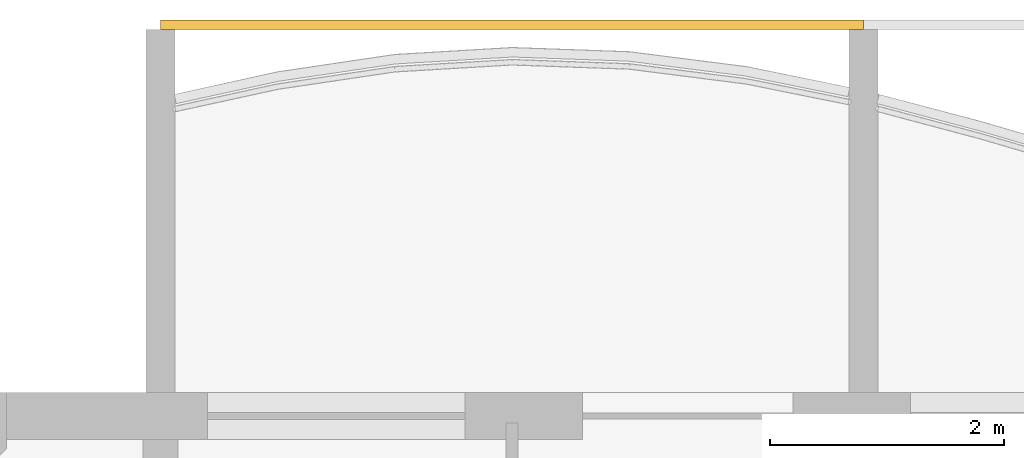
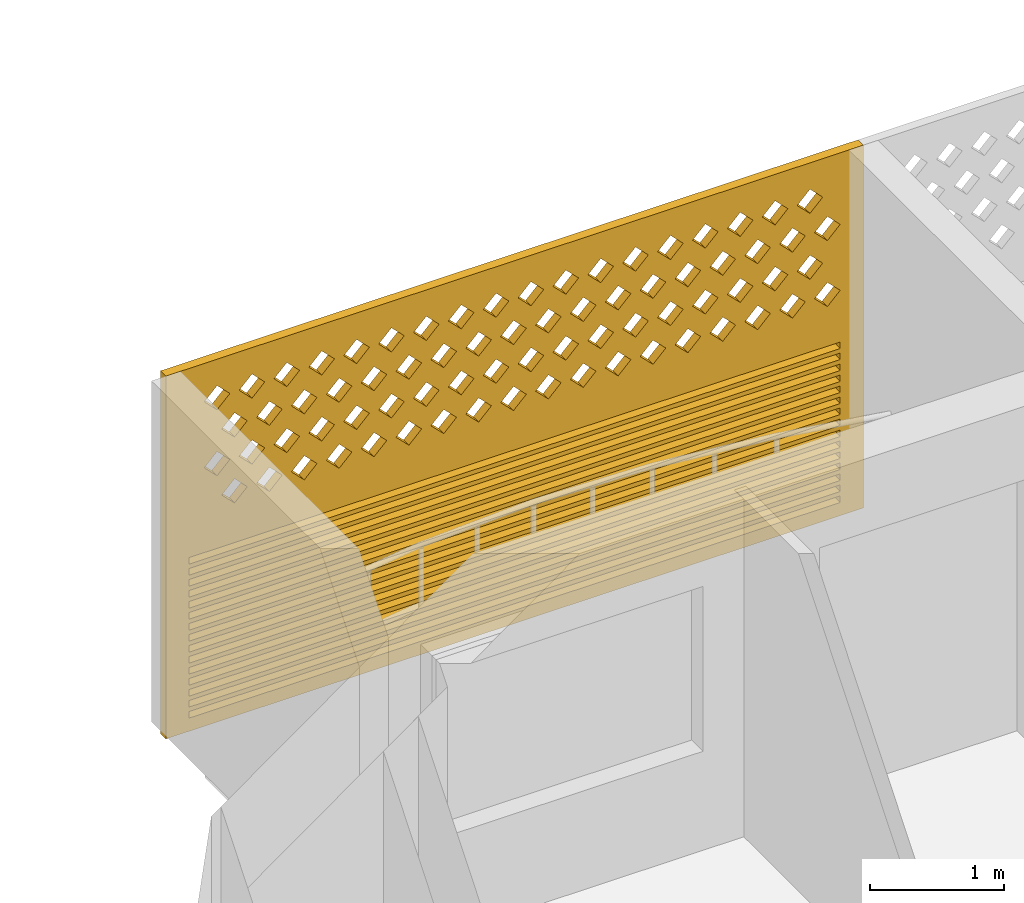
# One storey, part 17 of 31: 1 covering.
"""IFC4 building model written with IfcOpenShell, lengths in metres."""

from ifc_helpers import new_model, si_unit, direction, frame, origin, place, context, subcontext, project, spatial, polyline, outline, extrude, source, transform, mapped, material, material_profile, profile_set, type_object, element, save


model = new_model("IFC4")

# Units and contexts
model_context = context("Model", 3, precision=1e-05, world=origin(), true_north=direction((0.0, 1.0)))
body_context = subcontext(model_context, "Body", "Model", "MODEL_VIEW")
ifc_project = project(units=[si_unit("LENGTHUNIT", "METRE"), si_unit("AREAUNIT", "SQUARE_METRE"), si_unit("VOLUMEUNIT", "CUBIC_METRE"), si_unit("PLANEANGLEUNIT", "RADIAN"), si_unit("MASSUNIT", "GRAM", prefix="KILO")], contexts=[model_context])

# Site, building, storey
site_placement = place(None, origin())
site = spatial("IfcSite", under=ifc_project, at=site_placement, CompositionType="ELEMENT")
building_placement = place(site_placement, origin())
building = spatial("IfcBuilding", under=site, at=building_placement, Name="Poui Terraces", CompositionType="ELEMENT")
storey_placement = place(building_placement, frame((0.0, 0.0, 142.199951171875)))
storey = spatial("IfcBuildingStorey", under=building, at=storey_placement, Name="L39", CompositionType="ELEMENT", Elevation=142.199951171875)

# Covering
ifc_material = material(Name="Terracotta screen", Category="masonry")
ifc_material_profile = material_profile(ifc_material, outline(polyline([(-3.0, -1.64990234375), (3.0, -1.64990234375), (3.0, 1.64990234375), (-3.0, 1.64990234375), (-3.0, -1.64990234375)]), holes=[polyline([(-2.800048828125, 0.39990234375), (-2.68994140625, 0.2900390625), (-2.580078125, 0.39990234375), (-2.68994140625, 0.510009765625), (-2.800048828125, 0.39990234375)]), polyline([(-2.5, 0.39990234375), (-2.389892578125, 0.2900390625), (-2.280029296875, 0.39990234375), (-2.389892578125, 0.510009765625), (-2.5, 0.39990234375)]), polyline([(-2.199951171875, 0.39990234375), (-2.090087890625, 0.2900390625), (-1.97998046875, 0.39990234375), (-2.090087890625, 0.510009765625), (-2.199951171875, 0.39990234375)]), polyline([(-1.89990234375, 0.39990234375), (-1.7900390625, 0.2900390625), (-1.679931640625, 0.39990234375), (-1.7900390625, 0.510009765625), (-1.89990234375, 0.39990234375)]), polyline([(-1.60009765625, 0.39990234375), (-1.489990234375, 0.2900390625), (-1.3798828125, 0.39990234375), (-1.489990234375, 0.510009765625), (-1.60009765625, 0.39990234375)]), polyline([(-1.300048828125, 0.39990234375), (-1.18994140625, 0.2900390625), (-1.080078125, 0.39990234375), (-1.18994140625, 0.510009765625), (-1.300048828125, 0.39990234375)]), polyline([(-1.0, 0.39990234375), (-0.889892578125, 0.2900390625), (-0.780029296875, 0.39990234375), (-0.889892578125, 0.510009765625), (-1.0, 0.39990234375)]), polyline([(-0.699951171875, 0.39990234375), (-0.590087890625, 0.2900390625), (-0.47998046875, 0.39990234375), (-0.590087890625, 0.510009765625), (-0.699951171875, 0.39990234375)]), polyline([(-0.39990234375, 0.39990234375), (-0.2900390625, 0.2900390625), (-0.179931640625, 0.39990234375), (-0.2900390625, 0.510009765625), (-0.39990234375, 0.39990234375)]), polyline([(-0.10009765625, 0.39990234375), (0.010009765625, 0.2900390625), (0.1201171875, 0.39990234375), (0.010009765625, 0.510009765625), (-0.10009765625, 0.39990234375)]), polyline([(0.199951171875, 0.39990234375), (0.31005859375, 0.2900390625), (0.419921875, 0.39990234375), (0.31005859375, 0.510009765625), (0.199951171875, 0.39990234375)]), polyline([(0.5, 0.39990234375), (0.610107421875, 0.2900390625), (0.719970703125, 0.39990234375), (0.610107421875, 0.510009765625), (0.5, 0.39990234375)]), polyline([(0.800048828125, 0.39990234375), (0.909912109375, 0.2900390625), (1.02001953125, 0.39990234375), (0.909912109375, 0.510009765625), (0.800048828125, 0.39990234375)]), polyline([(1.10009765625, 0.39990234375), (1.2099609375, 0.2900390625), (1.320068359375, 0.39990234375), (1.2099609375, 0.510009765625), (1.10009765625, 0.39990234375)]), polyline([(1.39990234375, 0.39990234375), (1.510009765625, 0.2900390625), (1.6201171875, 0.39990234375), (1.510009765625, 0.510009765625), (1.39990234375, 0.39990234375)]), polyline([(1.699951171875, 0.39990234375), (1.81005859375, 0.2900390625), (1.919921875, 0.39990234375), (1.81005859375, 0.510009765625), (1.699951171875, 0.39990234375)]), polyline([(2.0, 0.39990234375), (2.110107421875, 0.2900390625), (2.219970703125, 0.39990234375), (2.110107421875, 0.510009765625), (2.0, 0.39990234375)]), polyline([(2.300048828125, 0.39990234375), (2.409912109375, 0.2900390625), (2.52001953125, 0.39990234375), (2.409912109375, 0.510009765625), (2.300048828125, 0.39990234375)]), polyline([(-2.64990234375, 0.699951171875), (-2.5400390625, 0.590087890625), (-2.429931640625, 0.699951171875), (-2.5400390625, 0.81005859375), (-2.64990234375, 0.699951171875)]), polyline([(-2.35009765625, 0.699951171875), (-2.239990234375, 0.590087890625), (-2.1298828125, 0.699951171875), (-2.239990234375, 0.81005859375), (-2.35009765625, 0.699951171875)]), polyline([(-2.050048828125, 0.699951171875), (-1.93994140625, 0.590087890625), (-1.830078125, 0.699951171875), (-1.93994140625, 0.81005859375), (-2.050048828125, 0.699951171875)]), polyline([(-1.75, 0.699951171875), (-1.639892578125, 0.590087890625), (-1.530029296875, 0.699951171875), (-1.639892578125, 0.81005859375), (-1.75, 0.699951171875)]), polyline([(-1.449951171875, 0.699951171875), (-1.340087890625, 0.590087890625), (-1.22998046875, 0.699951171875), (-1.340087890625, 0.81005859375), (-1.449951171875, 0.699951171875)]), polyline([(-1.14990234375, 0.699951171875), (-1.0400390625, 0.590087890625), (-0.929931640625, 0.699951171875), (-1.0400390625, 0.81005859375), (-1.14990234375, 0.699951171875)]), polyline([(-0.85009765625, 0.699951171875), (-0.739990234375, 0.590087890625), (-0.6298828125, 0.699951171875), (-0.739990234375, 0.81005859375), (-0.85009765625, 0.699951171875)]), polyline([(-0.550048828125, 0.699951171875), (-0.43994140625, 0.590087890625), (-0.330078125, 0.699951171875), (-0.43994140625, 0.81005859375), (-0.550048828125, 0.699951171875)]), polyline([(-0.25, 0.699951171875), (-0.139892578125, 0.590087890625), (-0.030029296875, 0.699951171875), (-0.139892578125, 0.81005859375), (-0.25, 0.699951171875)]), polyline([(0.050048828125, 0.699951171875), (0.159912109375, 0.590087890625), (0.27001953125, 0.699951171875), (0.159912109375, 0.81005859375), (0.050048828125, 0.699951171875)]), polyline([(0.35009765625, 0.699951171875), (0.4599609375, 0.590087890625), (0.570068359375, 0.699951171875), (0.4599609375, 0.81005859375), (0.35009765625, 0.699951171875)]), polyline([(0.64990234375, 0.699951171875), (0.760009765625, 0.590087890625), (0.8701171875, 0.699951171875), (0.760009765625, 0.81005859375), (0.64990234375, 0.699951171875)]), polyline([(0.949951171875, 0.699951171875), (1.06005859375, 0.590087890625), (1.169921875, 0.699951171875), (1.06005859375, 0.81005859375), (0.949951171875, 0.699951171875)]), polyline([(1.25, 0.699951171875), (1.360107421875, 0.590087890625), (1.469970703125, 0.699951171875), (1.360107421875, 0.81005859375), (1.25, 0.699951171875)]), polyline([(1.550048828125, 0.699951171875), (1.659912109375, 0.590087890625), (1.77001953125, 0.699951171875), (1.659912109375, 0.81005859375), (1.550048828125, 0.699951171875)]), polyline([(1.85009765625, 0.699951171875), (1.9599609375, 0.590087890625), (2.070068359375, 0.699951171875), (1.9599609375, 0.81005859375), (1.85009765625, 0.699951171875)]), polyline([(2.14990234375, 0.699951171875), (2.260009765625, 0.590087890625), (2.3701171875, 0.699951171875), (2.260009765625, 0.81005859375), (2.14990234375, 0.699951171875)]), polyline([(2.449951171875, 0.699951171875), (2.56005859375, 0.590087890625), (2.669921875, 0.699951171875), (2.56005859375, 0.81005859375), (2.449951171875, 0.699951171875)]), polyline([(-2.800048828125, 1.0), (-2.68994140625, 0.889892578125), (-2.580078125, 1.0), (-2.68994140625, 1.110107421875), (-2.800048828125, 1.0)]), polyline([(-2.5, 1.0), (-2.389892578125, 0.889892578125), (-2.280029296875, 1.0), (-2.389892578125, 1.110107421875), (-2.5, 1.0)]), polyline([(-2.199951171875, 1.0), (-2.090087890625, 0.889892578125), (-1.97998046875, 1.0), (-2.090087890625, 1.110107421875), (-2.199951171875, 1.0)]), polyline([(-1.89990234375, 1.0), (-1.7900390625, 0.889892578125), (-1.679931640625, 1.0), (-1.7900390625, 1.110107421875), (-1.89990234375, 1.0)]), polyline([(-1.60009765625, 1.0), (-1.489990234375, 0.889892578125), (-1.3798828125, 1.0), (-1.489990234375, 1.110107421875), (-1.60009765625, 1.0)]), polyline([(-1.300048828125, 1.0), (-1.18994140625, 0.889892578125), (-1.080078125, 1.0), (-1.18994140625, 1.110107421875), (-1.300048828125, 1.0)]), polyline([(-1.0, 1.0), (-0.889892578125, 0.889892578125), (-0.780029296875, 1.0), (-0.889892578125, 1.110107421875), (-1.0, 1.0)]), polyline([(-0.699951171875, 1.0), (-0.590087890625, 0.889892578125), (-0.47998046875, 1.0), (-0.590087890625, 1.110107421875), (-0.699951171875, 1.0)]), polyline([(-0.39990234375, 1.0), (-0.2900390625, 0.889892578125), (-0.179931640625, 1.0), (-0.2900390625, 1.110107421875), (-0.39990234375, 1.0)]), polyline([(-0.10009765625, 1.0), (0.010009765625, 0.889892578125), (0.1201171875, 1.0), (0.010009765625, 1.110107421875), (-0.10009765625, 1.0)]), polyline([(0.199951171875, 1.0), (0.31005859375, 0.889892578125), (0.419921875, 1.0), (0.31005859375, 1.110107421875), (0.199951171875, 1.0)]), polyline([(0.5, 1.0), (0.610107421875, 0.889892578125), (0.719970703125, 1.0), (0.610107421875, 1.110107421875), (0.5, 1.0)]), polyline([(0.800048828125, 1.0), (0.909912109375, 0.889892578125), (1.02001953125, 1.0), (0.909912109375, 1.110107421875), (0.800048828125, 1.0)]), polyline([(1.10009765625, 1.0), (1.2099609375, 0.889892578125), (1.320068359375, 1.0), (1.2099609375, 1.110107421875), (1.10009765625, 1.0)]), polyline([(1.39990234375, 1.0), (1.510009765625, 0.889892578125), (1.6201171875, 1.0), (1.510009765625, 1.110107421875), (1.39990234375, 1.0)]), polyline([(1.699951171875, 1.0), (1.81005859375, 0.889892578125), (1.919921875, 1.0), (1.81005859375, 1.110107421875), (1.699951171875, 1.0)]), polyline([(2.0, 1.0), (2.110107421875, 0.889892578125), (2.219970703125, 1.0), (2.110107421875, 1.110107421875), (2.0, 1.0)]), polyline([(2.300048828125, 1.0), (2.409912109375, 0.889892578125), (2.52001953125, 1.0), (2.409912109375, 1.110107421875), (2.300048828125, 1.0)]), polyline([(-2.64990234375, 1.300048828125), (-2.5400390625, 1.18994140625), (-2.429931640625, 1.300048828125), (-2.5400390625, 1.409912109375), (-2.64990234375, 1.300048828125)]), polyline([(-2.35009765625, 1.300048828125), (-2.239990234375, 1.18994140625), (-2.1298828125, 1.300048828125), (-2.239990234375, 1.409912109375), (-2.35009765625, 1.300048828125)]), polyline([(-2.050048828125, 1.300048828125), (-1.93994140625, 1.18994140625), (-1.830078125, 1.300048828125), (-1.93994140625, 1.409912109375), (-2.050048828125, 1.300048828125)]), polyline([(-1.75, 1.300048828125), (-1.639892578125, 1.18994140625), (-1.530029296875, 1.300048828125), (-1.639892578125, 1.409912109375), (-1.75, 1.300048828125)]), polyline([(-1.449951171875, 1.300048828125), (-1.340087890625, 1.18994140625), (-1.22998046875, 1.300048828125), (-1.340087890625, 1.409912109375), (-1.449951171875, 1.300048828125)]), polyline([(-1.14990234375, 1.300048828125), (-1.0400390625, 1.18994140625), (-0.929931640625, 1.300048828125), (-1.0400390625, 1.409912109375), (-1.14990234375, 1.300048828125)]), polyline([(-0.85009765625, 1.300048828125), (-0.739990234375, 1.18994140625), (-0.6298828125, 1.300048828125), (-0.739990234375, 1.409912109375), (-0.85009765625, 1.300048828125)]), polyline([(-0.550048828125, 1.300048828125), (-0.43994140625, 1.18994140625), (-0.330078125, 1.300048828125), (-0.43994140625, 1.409912109375), (-0.550048828125, 1.300048828125)]), polyline([(-0.25, 1.300048828125), (-0.139892578125, 1.18994140625), (-0.030029296875, 1.300048828125), (-0.139892578125, 1.409912109375), (-0.25, 1.300048828125)]), polyline([(0.050048828125, 1.300048828125), (0.159912109375, 1.18994140625), (0.27001953125, 1.300048828125), (0.159912109375, 1.409912109375), (0.050048828125, 1.300048828125)]), polyline([(0.35009765625, 1.300048828125), (0.4599609375, 1.18994140625), (0.570068359375, 1.300048828125), (0.4599609375, 1.409912109375), (0.35009765625, 1.300048828125)]), polyline([(0.64990234375, 1.300048828125), (0.760009765625, 1.18994140625), (0.8701171875, 1.300048828125), (0.760009765625, 1.409912109375), (0.64990234375, 1.300048828125)]), polyline([(0.949951171875, 1.300048828125), (1.06005859375, 1.18994140625), (1.169921875, 1.300048828125), (1.06005859375, 1.409912109375), (0.949951171875, 1.300048828125)]), polyline([(1.25, 1.300048828125), (1.360107421875, 1.18994140625), (1.469970703125, 1.300048828125), (1.360107421875, 1.409912109375), (1.25, 1.300048828125)]), polyline([(1.550048828125, 1.300048828125), (1.659912109375, 1.18994140625), (1.77001953125, 1.300048828125), (1.659912109375, 1.409912109375), (1.550048828125, 1.300048828125)]), polyline([(1.85009765625, 1.300048828125), (1.9599609375, 1.18994140625), (2.070068359375, 1.300048828125), (1.9599609375, 1.409912109375), (1.85009765625, 1.300048828125)]), polyline([(2.14990234375, 1.300048828125), (2.260009765625, 1.18994140625), (2.3701171875, 1.300048828125), (2.260009765625, 1.409912109375), (2.14990234375, 1.300048828125)]), polyline([(2.449951171875, 1.300048828125), (2.56005859375, 1.18994140625), (2.669921875, 1.300048828125), (2.56005859375, 1.409912109375), (2.449951171875, 1.300048828125)]), polyline([(-2.800048828125, -1.530029296875), (2.800048828125, -1.530029296875), (2.800048828125, -1.469970703125), (-2.800048828125, -1.469970703125), (-2.800048828125, -1.530029296875)]), polyline([(-2.800048828125, -1.429931640625), (2.800048828125, -1.429931640625), (2.800048828125, -1.3701171875), (-2.800048828125, -1.3701171875), (-2.800048828125, -1.429931640625)]), polyline([(-2.800048828125, -1.330078125), (2.800048828125, -1.330078125), (2.800048828125, -1.27001953125), (-2.800048828125, -1.27001953125), (-2.800048828125, -1.330078125)]), polyline([(-2.800048828125, -1.22998046875), (2.800048828125, -1.22998046875), (2.800048828125, -1.169921875), (-2.800048828125, -1.169921875), (-2.800048828125, -1.22998046875)]), polyline([(-2.800048828125, -1.1298828125), (2.800048828125, -1.1298828125), (2.800048828125, -1.070068359375), (-2.800048828125, -1.070068359375), (-2.800048828125, -1.1298828125)]), polyline([(-2.800048828125, -1.030029296875), (2.800048828125, -1.030029296875), (2.800048828125, -0.969970703125), (-2.800048828125, -0.969970703125), (-2.800048828125, -1.030029296875)]), polyline([(-2.800048828125, -0.929931640625), (2.800048828125, -0.929931640625), (2.800048828125, -0.8701171875), (-2.800048828125, -0.8701171875), (-2.800048828125, -0.929931640625)]), polyline([(-2.800048828125, -0.830078125), (2.800048828125, -0.830078125), (2.800048828125, -0.77001953125), (-2.800048828125, -0.77001953125), (-2.800048828125, -0.830078125)]), polyline([(-2.800048828125, -0.72998046875), (2.800048828125, -0.72998046875), (2.800048828125, -0.669921875), (-2.800048828125, -0.669921875), (-2.800048828125, -0.72998046875)]), polyline([(-2.800048828125, -0.6298828125), (2.800048828125, -0.6298828125), (2.800048828125, -0.570068359375), (-2.800048828125, -0.570068359375), (-2.800048828125, -0.6298828125)]), polyline([(-2.800048828125, -0.530029296875), (2.800048828125, -0.530029296875), (2.800048828125, -0.469970703125), (-2.800048828125, -0.469970703125), (-2.800048828125, -0.530029296875)]), polyline([(-2.800048828125, -0.429931640625), (2.800048828125, -0.429931640625), (2.800048828125, -0.3701171875), (-2.800048828125, -0.3701171875), (-2.800048828125, -0.429931640625)]), polyline([(-2.800048828125, -0.330078125), (2.800048828125, -0.330078125), (2.800048828125, -0.27001953125), (-2.800048828125, -0.27001953125), (-2.800048828125, -0.330078125)]), polyline([(-2.800048828125, -0.22998046875), (2.800048828125, -0.22998046875), (2.800048828125, -0.169921875), (-2.800048828125, -0.169921875), (-2.800048828125, -0.22998046875)]), polyline([(-2.800048828125, -0.1298828125), (2.800048828125, -0.1298828125), (2.800048828125, -0.070068359375), (-2.800048828125, -0.070068359375), (-2.800048828125, -0.1298828125)])]), Name="TERRACOTTA SCREEN AND JALOUSIE LOUVRE 6000X3300")
ifc_profile_set = profile_set([ifc_material_profile], Name="Terracotta screen")
covering_type = type_object("IfcCoveringType", Name="TERRACOTTA SCREEN AND JALOUSIE LOUVRE 6000X3300", PredefinedType="CLADDING", material=ifc_profile_set)
shared_shape = source(origin(), body_context, "Body", "SweptSolid", [
    extrude(outline(polyline([(-3.0, -1.64990234375), (3.0, -1.64990234375), (3.0, 1.64990234375), (-3.0, 1.64990234375), (-3.0, -1.64990234375)]), holes=[polyline([(-2.800048828125, 0.39990234375), (-2.68994140625, 0.2900390625), (-2.580078125, 0.39990234375), (-2.68994140625, 0.510009765625), (-2.800048828125, 0.39990234375)]), polyline([(-2.5, 0.39990234375), (-2.389892578125, 0.2900390625), (-2.280029296875, 0.39990234375), (-2.389892578125, 0.510009765625), (-2.5, 0.39990234375)]), polyline([(-2.199951171875, 0.39990234375), (-2.090087890625, 0.2900390625), (-1.97998046875, 0.39990234375), (-2.090087890625, 0.510009765625), (-2.199951171875, 0.39990234375)]), polyline([(-1.89990234375, 0.39990234375), (-1.7900390625, 0.2900390625), (-1.679931640625, 0.39990234375), (-1.7900390625, 0.510009765625), (-1.89990234375, 0.39990234375)]), polyline([(-1.60009765625, 0.39990234375), (-1.489990234375, 0.2900390625), (-1.3798828125, 0.39990234375), (-1.489990234375, 0.510009765625), (-1.60009765625, 0.39990234375)]), polyline([(-1.300048828125, 0.39990234375), (-1.18994140625, 0.2900390625), (-1.080078125, 0.39990234375), (-1.18994140625, 0.510009765625), (-1.300048828125, 0.39990234375)]), polyline([(-1.0, 0.39990234375), (-0.889892578125, 0.2900390625), (-0.780029296875, 0.39990234375), (-0.889892578125, 0.510009765625), (-1.0, 0.39990234375)]), polyline([(-0.699951171875, 0.39990234375), (-0.590087890625, 0.2900390625), (-0.47998046875, 0.39990234375), (-0.590087890625, 0.510009765625), (-0.699951171875, 0.39990234375)]), polyline([(-0.39990234375, 0.39990234375), (-0.2900390625, 0.2900390625), (-0.179931640625, 0.39990234375), (-0.2900390625, 0.510009765625), (-0.39990234375, 0.39990234375)]), polyline([(-0.10009765625, 0.39990234375), (0.010009765625, 0.2900390625), (0.1201171875, 0.39990234375), (0.010009765625, 0.510009765625), (-0.10009765625, 0.39990234375)]), polyline([(0.199951171875, 0.39990234375), (0.31005859375, 0.2900390625), (0.419921875, 0.39990234375), (0.31005859375, 0.510009765625), (0.199951171875, 0.39990234375)]), polyline([(0.5, 0.39990234375), (0.610107421875, 0.2900390625), (0.719970703125, 0.39990234375), (0.610107421875, 0.510009765625), (0.5, 0.39990234375)]), polyline([(0.800048828125, 0.39990234375), (0.909912109375, 0.2900390625), (1.02001953125, 0.39990234375), (0.909912109375, 0.510009765625), (0.800048828125, 0.39990234375)]), polyline([(1.10009765625, 0.39990234375), (1.2099609375, 0.2900390625), (1.320068359375, 0.39990234375), (1.2099609375, 0.510009765625), (1.10009765625, 0.39990234375)]), polyline([(1.39990234375, 0.39990234375), (1.510009765625, 0.2900390625), (1.6201171875, 0.39990234375), (1.510009765625, 0.510009765625), (1.39990234375, 0.39990234375)]), polyline([(1.699951171875, 0.39990234375), (1.81005859375, 0.2900390625), (1.919921875, 0.39990234375), (1.81005859375, 0.510009765625), (1.699951171875, 0.39990234375)]), polyline([(2.0, 0.39990234375), (2.110107421875, 0.2900390625), (2.219970703125, 0.39990234375), (2.110107421875, 0.510009765625), (2.0, 0.39990234375)]), polyline([(2.300048828125, 0.39990234375), (2.409912109375, 0.2900390625), (2.52001953125, 0.39990234375), (2.409912109375, 0.510009765625), (2.300048828125, 0.39990234375)]), polyline([(-2.64990234375, 0.699951171875), (-2.5400390625, 0.590087890625), (-2.429931640625, 0.699951171875), (-2.5400390625, 0.81005859375), (-2.64990234375, 0.699951171875)]), polyline([(-2.35009765625, 0.699951171875), (-2.239990234375, 0.590087890625), (-2.1298828125, 0.699951171875), (-2.239990234375, 0.81005859375), (-2.35009765625, 0.699951171875)]), polyline([(-2.050048828125, 0.699951171875), (-1.93994140625, 0.590087890625), (-1.830078125, 0.699951171875), (-1.93994140625, 0.81005859375), (-2.050048828125, 0.699951171875)]), polyline([(-1.75, 0.699951171875), (-1.639892578125, 0.590087890625), (-1.530029296875, 0.699951171875), (-1.639892578125, 0.81005859375), (-1.75, 0.699951171875)]), polyline([(-1.449951171875, 0.699951171875), (-1.340087890625, 0.590087890625), (-1.22998046875, 0.699951171875), (-1.340087890625, 0.81005859375), (-1.449951171875, 0.699951171875)]), polyline([(-1.14990234375, 0.699951171875), (-1.0400390625, 0.590087890625), (-0.929931640625, 0.699951171875), (-1.0400390625, 0.81005859375), (-1.14990234375, 0.699951171875)]), polyline([(-0.85009765625, 0.699951171875), (-0.739990234375, 0.590087890625), (-0.6298828125, 0.699951171875), (-0.739990234375, 0.81005859375), (-0.85009765625, 0.699951171875)]), polyline([(-0.550048828125, 0.699951171875), (-0.43994140625, 0.590087890625), (-0.330078125, 0.699951171875), (-0.43994140625, 0.81005859375), (-0.550048828125, 0.699951171875)]), polyline([(-0.25, 0.699951171875), (-0.139892578125, 0.590087890625), (-0.030029296875, 0.699951171875), (-0.139892578125, 0.81005859375), (-0.25, 0.699951171875)]), polyline([(0.050048828125, 0.699951171875), (0.159912109375, 0.590087890625), (0.27001953125, 0.699951171875), (0.159912109375, 0.81005859375), (0.050048828125, 0.699951171875)]), polyline([(0.35009765625, 0.699951171875), (0.4599609375, 0.590087890625), (0.570068359375, 0.699951171875), (0.4599609375, 0.81005859375), (0.35009765625, 0.699951171875)]), polyline([(0.64990234375, 0.699951171875), (0.760009765625, 0.590087890625), (0.8701171875, 0.699951171875), (0.760009765625, 0.81005859375), (0.64990234375, 0.699951171875)]), polyline([(0.949951171875, 0.699951171875), (1.06005859375, 0.590087890625), (1.169921875, 0.699951171875), (1.06005859375, 0.81005859375), (0.949951171875, 0.699951171875)]), polyline([(1.25, 0.699951171875), (1.360107421875, 0.590087890625), (1.469970703125, 0.699951171875), (1.360107421875, 0.81005859375), (1.25, 0.699951171875)]), polyline([(1.550048828125, 0.699951171875), (1.659912109375, 0.590087890625), (1.77001953125, 0.699951171875), (1.659912109375, 0.81005859375), (1.550048828125, 0.699951171875)]), polyline([(1.85009765625, 0.699951171875), (1.9599609375, 0.590087890625), (2.070068359375, 0.699951171875), (1.9599609375, 0.81005859375), (1.85009765625, 0.699951171875)]), polyline([(2.14990234375, 0.699951171875), (2.260009765625, 0.590087890625), (2.3701171875, 0.699951171875), (2.260009765625, 0.81005859375), (2.14990234375, 0.699951171875)]), polyline([(2.449951171875, 0.699951171875), (2.56005859375, 0.590087890625), (2.669921875, 0.699951171875), (2.56005859375, 0.81005859375), (2.449951171875, 0.699951171875)]), polyline([(-2.800048828125, 1.0), (-2.68994140625, 0.889892578125), (-2.580078125, 1.0), (-2.68994140625, 1.110107421875), (-2.800048828125, 1.0)]), polyline([(-2.5, 1.0), (-2.389892578125, 0.889892578125), (-2.280029296875, 1.0), (-2.389892578125, 1.110107421875), (-2.5, 1.0)]), polyline([(-2.199951171875, 1.0), (-2.090087890625, 0.889892578125), (-1.97998046875, 1.0), (-2.090087890625, 1.110107421875), (-2.199951171875, 1.0)]), polyline([(-1.89990234375, 1.0), (-1.7900390625, 0.889892578125), (-1.679931640625, 1.0), (-1.7900390625, 1.110107421875), (-1.89990234375, 1.0)]), polyline([(-1.60009765625, 1.0), (-1.489990234375, 0.889892578125), (-1.3798828125, 1.0), (-1.489990234375, 1.110107421875), (-1.60009765625, 1.0)]), polyline([(-1.300048828125, 1.0), (-1.18994140625, 0.889892578125), (-1.080078125, 1.0), (-1.18994140625, 1.110107421875), (-1.300048828125, 1.0)]), polyline([(-1.0, 1.0), (-0.889892578125, 0.889892578125), (-0.780029296875, 1.0), (-0.889892578125, 1.110107421875), (-1.0, 1.0)]), polyline([(-0.699951171875, 1.0), (-0.590087890625, 0.889892578125), (-0.47998046875, 1.0), (-0.590087890625, 1.110107421875), (-0.699951171875, 1.0)]), polyline([(-0.39990234375, 1.0), (-0.2900390625, 0.889892578125), (-0.179931640625, 1.0), (-0.2900390625, 1.110107421875), (-0.39990234375, 1.0)]), polyline([(-0.10009765625, 1.0), (0.010009765625, 0.889892578125), (0.1201171875, 1.0), (0.010009765625, 1.110107421875), (-0.10009765625, 1.0)]), polyline([(0.199951171875, 1.0), (0.31005859375, 0.889892578125), (0.419921875, 1.0), (0.31005859375, 1.110107421875), (0.199951171875, 1.0)]), polyline([(0.5, 1.0), (0.610107421875, 0.889892578125), (0.719970703125, 1.0), (0.610107421875, 1.110107421875), (0.5, 1.0)]), polyline([(0.800048828125, 1.0), (0.909912109375, 0.889892578125), (1.02001953125, 1.0), (0.909912109375, 1.110107421875), (0.800048828125, 1.0)]), polyline([(1.10009765625, 1.0), (1.2099609375, 0.889892578125), (1.320068359375, 1.0), (1.2099609375, 1.110107421875), (1.10009765625, 1.0)]), polyline([(1.39990234375, 1.0), (1.510009765625, 0.889892578125), (1.6201171875, 1.0), (1.510009765625, 1.110107421875), (1.39990234375, 1.0)]), polyline([(1.699951171875, 1.0), (1.81005859375, 0.889892578125), (1.919921875, 1.0), (1.81005859375, 1.110107421875), (1.699951171875, 1.0)]), polyline([(2.0, 1.0), (2.110107421875, 0.889892578125), (2.219970703125, 1.0), (2.110107421875, 1.110107421875), (2.0, 1.0)]), polyline([(2.300048828125, 1.0), (2.409912109375, 0.889892578125), (2.52001953125, 1.0), (2.409912109375, 1.110107421875), (2.300048828125, 1.0)]), polyline([(-2.64990234375, 1.300048828125), (-2.5400390625, 1.18994140625), (-2.429931640625, 1.300048828125), (-2.5400390625, 1.409912109375), (-2.64990234375, 1.300048828125)]), polyline([(-2.35009765625, 1.300048828125), (-2.239990234375, 1.18994140625), (-2.1298828125, 1.300048828125), (-2.239990234375, 1.409912109375), (-2.35009765625, 1.300048828125)]), polyline([(-2.050048828125, 1.300048828125), (-1.93994140625, 1.18994140625), (-1.830078125, 1.300048828125), (-1.93994140625, 1.409912109375), (-2.050048828125, 1.300048828125)]), polyline([(-1.75, 1.300048828125), (-1.639892578125, 1.18994140625), (-1.530029296875, 1.300048828125), (-1.639892578125, 1.409912109375), (-1.75, 1.300048828125)]), polyline([(-1.449951171875, 1.300048828125), (-1.340087890625, 1.18994140625), (-1.22998046875, 1.300048828125), (-1.340087890625, 1.409912109375), (-1.449951171875, 1.300048828125)]), polyline([(-1.14990234375, 1.300048828125), (-1.0400390625, 1.18994140625), (-0.929931640625, 1.300048828125), (-1.0400390625, 1.409912109375), (-1.14990234375, 1.300048828125)]), polyline([(-0.85009765625, 1.300048828125), (-0.739990234375, 1.18994140625), (-0.6298828125, 1.300048828125), (-0.739990234375, 1.409912109375), (-0.85009765625, 1.300048828125)]), polyline([(-0.550048828125, 1.300048828125), (-0.43994140625, 1.18994140625), (-0.330078125, 1.300048828125), (-0.43994140625, 1.409912109375), (-0.550048828125, 1.300048828125)]), polyline([(-0.25, 1.300048828125), (-0.139892578125, 1.18994140625), (-0.030029296875, 1.300048828125), (-0.139892578125, 1.409912109375), (-0.25, 1.300048828125)]), polyline([(0.050048828125, 1.300048828125), (0.159912109375, 1.18994140625), (0.27001953125, 1.300048828125), (0.159912109375, 1.409912109375), (0.050048828125, 1.300048828125)]), polyline([(0.35009765625, 1.300048828125), (0.4599609375, 1.18994140625), (0.570068359375, 1.300048828125), (0.4599609375, 1.409912109375), (0.35009765625, 1.300048828125)]), polyline([(0.64990234375, 1.300048828125), (0.760009765625, 1.18994140625), (0.8701171875, 1.300048828125), (0.760009765625, 1.409912109375), (0.64990234375, 1.300048828125)]), polyline([(0.949951171875, 1.300048828125), (1.06005859375, 1.18994140625), (1.169921875, 1.300048828125), (1.06005859375, 1.409912109375), (0.949951171875, 1.300048828125)]), polyline([(1.25, 1.300048828125), (1.360107421875, 1.18994140625), (1.469970703125, 1.300048828125), (1.360107421875, 1.409912109375), (1.25, 1.300048828125)]), polyline([(1.550048828125, 1.300048828125), (1.659912109375, 1.18994140625), (1.77001953125, 1.300048828125), (1.659912109375, 1.409912109375), (1.550048828125, 1.300048828125)]), polyline([(1.85009765625, 1.300048828125), (1.9599609375, 1.18994140625), (2.070068359375, 1.300048828125), (1.9599609375, 1.409912109375), (1.85009765625, 1.300048828125)]), polyline([(2.14990234375, 1.300048828125), (2.260009765625, 1.18994140625), (2.3701171875, 1.300048828125), (2.260009765625, 1.409912109375), (2.14990234375, 1.300048828125)]), polyline([(2.449951171875, 1.300048828125), (2.56005859375, 1.18994140625), (2.669921875, 1.300048828125), (2.56005859375, 1.409912109375), (2.449951171875, 1.300048828125)]), polyline([(-2.800048828125, -1.530029296875), (2.800048828125, -1.530029296875), (2.800048828125, -1.469970703125), (-2.800048828125, -1.469970703125), (-2.800048828125, -1.530029296875)]), polyline([(-2.800048828125, -1.429931640625), (2.800048828125, -1.429931640625), (2.800048828125, -1.3701171875), (-2.800048828125, -1.3701171875), (-2.800048828125, -1.429931640625)]), polyline([(-2.800048828125, -1.330078125), (2.800048828125, -1.330078125), (2.800048828125, -1.27001953125), (-2.800048828125, -1.27001953125), (-2.800048828125, -1.330078125)]), polyline([(-2.800048828125, -1.22998046875), (2.800048828125, -1.22998046875), (2.800048828125, -1.169921875), (-2.800048828125, -1.169921875), (-2.800048828125, -1.22998046875)]), polyline([(-2.800048828125, -1.1298828125), (2.800048828125, -1.1298828125), (2.800048828125, -1.070068359375), (-2.800048828125, -1.070068359375), (-2.800048828125, -1.1298828125)]), polyline([(-2.800048828125, -1.030029296875), (2.800048828125, -1.030029296875), (2.800048828125, -0.969970703125), (-2.800048828125, -0.969970703125), (-2.800048828125, -1.030029296875)]), polyline([(-2.800048828125, -0.929931640625), (2.800048828125, -0.929931640625), (2.800048828125, -0.8701171875), (-2.800048828125, -0.8701171875), (-2.800048828125, -0.929931640625)]), polyline([(-2.800048828125, -0.830078125), (2.800048828125, -0.830078125), (2.800048828125, -0.77001953125), (-2.800048828125, -0.77001953125), (-2.800048828125, -0.830078125)]), polyline([(-2.800048828125, -0.72998046875), (2.800048828125, -0.72998046875), (2.800048828125, -0.669921875), (-2.800048828125, -0.669921875), (-2.800048828125, -0.72998046875)]), polyline([(-2.800048828125, -0.6298828125), (2.800048828125, -0.6298828125), (2.800048828125, -0.570068359375), (-2.800048828125, -0.570068359375), (-2.800048828125, -0.6298828125)]), polyline([(-2.800048828125, -0.530029296875), (2.800048828125, -0.530029296875), (2.800048828125, -0.469970703125), (-2.800048828125, -0.469970703125), (-2.800048828125, -0.530029296875)]), polyline([(-2.800048828125, -0.429931640625), (2.800048828125, -0.429931640625), (2.800048828125, -0.3701171875), (-2.800048828125, -0.3701171875), (-2.800048828125, -0.429931640625)]), polyline([(-2.800048828125, -0.330078125), (2.800048828125, -0.330078125), (2.800048828125, -0.27001953125), (-2.800048828125, -0.27001953125), (-2.800048828125, -0.330078125)]), polyline([(-2.800048828125, -0.22998046875), (2.800048828125, -0.22998046875), (2.800048828125, -0.169921875), (-2.800048828125, -0.169921875), (-2.800048828125, -0.22998046875)]), polyline([(-2.800048828125, -0.1298828125), (2.800048828125, -0.1298828125), (2.800048828125, -0.070068359375), (-2.800048828125, -0.070068359375), (-2.800048828125, -0.1298828125)])]), origin(), (0.0, 0.0, 1.0), 0.080078125),
])
covering_placement = place(storey_placement, frame((21.0, 45.699951171875, 1.449951171875), z_axis=(0.0, 1.0, 0.0), x_axis=(-1.0, 0.0, 0.0)))
element("IfcCovering", 1, at=covering_placement, inside=storey, type_object=covering_type, Name="SOLAR SCREEN AND JALOUSIE LOUVRE", PredefinedType="CLADDING", context=body_context, shape_type="MappedRepresentation", body=[
    mapped(shared_shape, transform((0.0, 0.0, 0.0))),
])

save(model, "model.ifc")
